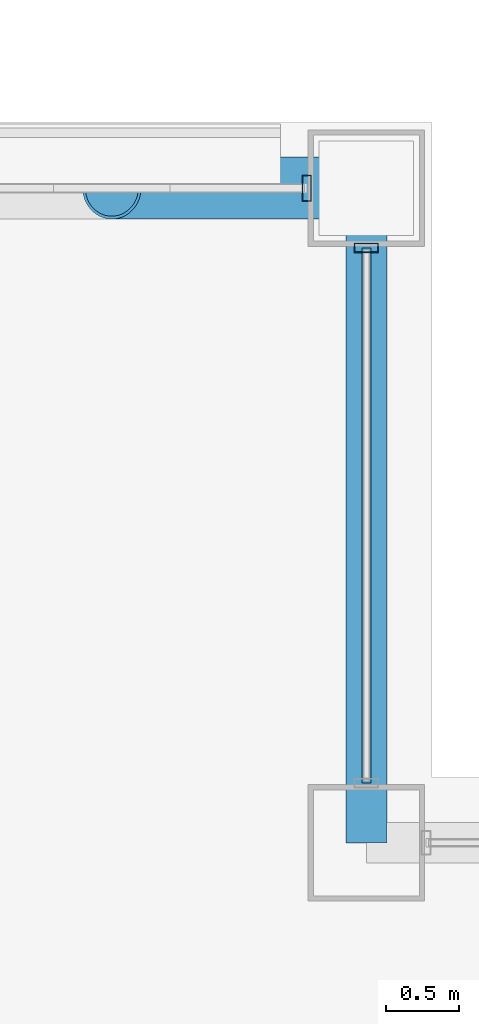
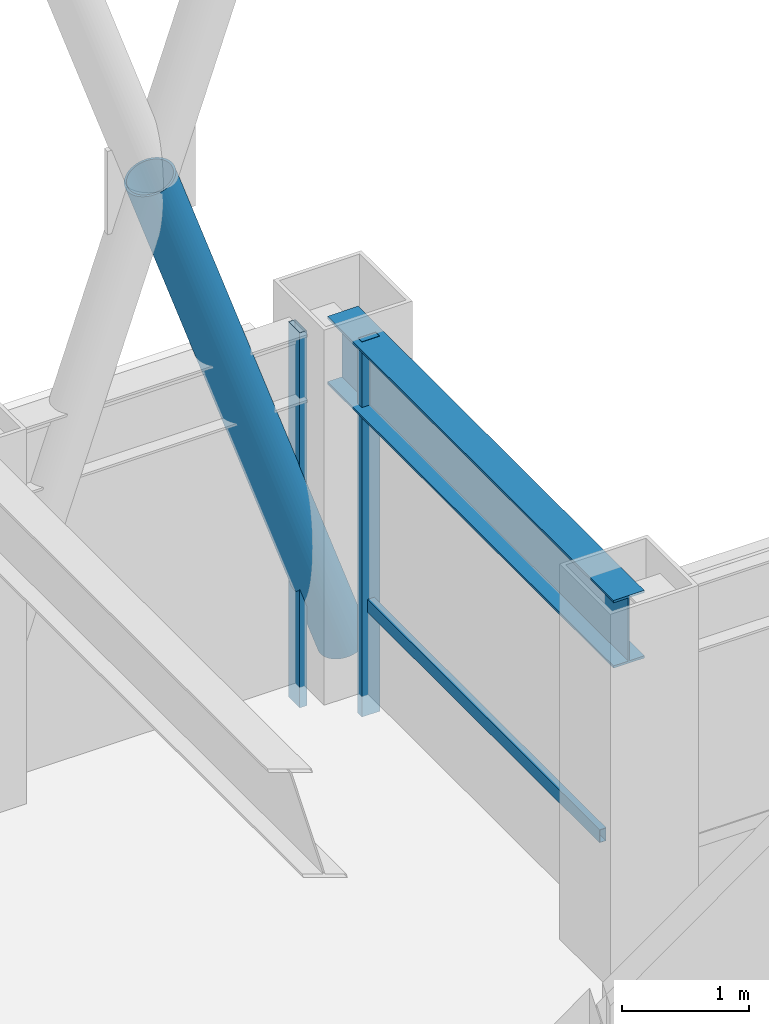
# One storey, part 26 of 35: 4 members, 1 beam, 2 elements without a shape of their own.
"""IFC4 building model written with IfcOpenShell, lengths in metres."""

from ifc_helpers import new_model, si_unit, direction, frame, origin, origin_2d, place, context, subcontext, project, spatial, hollow_rectangle, hollow_circle, i_section, extrude, material, layer, layer_set, material_profile, profile_set, type_object, element, aggregate, save


model = new_model("IFC4")

# Units and contexts
model_context = context("Model", 3, precision=1e-05, world=origin(), true_north=direction((0.0, 1.0)))
body_context = subcontext(model_context, "Body", "Model", "MODEL_VIEW")
ifc_project = project(units=[si_unit("LENGTHUNIT", "METRE"), si_unit("AREAUNIT", "SQUARE_METRE"), si_unit("VOLUMEUNIT", "CUBIC_METRE"), si_unit("PLANEANGLEUNIT", "RADIAN"), si_unit("MASSUNIT", "GRAM", prefix="KILO")], contexts=[model_context])

# Site, building, storey
site_placement = place(None, origin())
site = spatial("IfcSite", under=ifc_project, at=site_placement, CompositionType="ELEMENT")
building_placement = place(site_placement, origin())
building = spatial("IfcBuilding", under=site, at=building_placement, Name="Brelmoor Portico Tower", CompositionType="ELEMENT")
storey_placement = place(building_placement, frame((0.0, 0.0, 131.39990234375)))
storey = spatial("IfcBuildingStorey", under=building, at=storey_placement, Name="L34", CompositionType="ELEMENT", Elevation=131.39990234375)

# Beam
ifc_material_1 = material(Name="Steel Q355B", Category="steel")
ifc_material_profile_1 = material_profile(ifc_material_1, i_section(OverallWidth=0.280029296875, OverallDepth=0.64990234375, WebThickness=0.012939453125, FlangeThickness=0.02197265625, at=origin_2d()), Name="HN 650x280x13x22")
ifc_profile_set_1 = profile_set([ifc_material_profile_1], Name="Steel Q355B")
beam_type = type_object("IfcBeamType", Name="BM-SP-650", PredefinedType="SPANDREL", material=ifc_profile_set_1)
beam_placement = place(storey_placement, frame((18.050048828125, 15.050048828125, 3.0751953125), z_axis=(0.0, 1.0, 0.0), x_axis=(-1.0, 0.0, 0.0)))
element("IfcBeam", 1, at=beam_placement, inside=storey, type_object=beam_type, Name="L34 Perimeter Spandrel Beam SP-21", PredefinedType="SPANDREL", context=body_context, shape_type="SweptSolid", body=[
    extrude(i_section(OverallWidth=0.280029296875, OverallDepth=0.64990234375, WebThickness=0.012939453125, FlangeThickness=0.02197265625, at=origin_2d()), origin(), (0.0, 0.0, 1.0), 4.5),
])

# Member
ifc_material_profile_2 = material_profile(ifc_material_1, hollow_circle(Radius=0.212890625, WallThickness=0.02001953125, at=origin_2d()), Name="CHS 426x20")
ifc_profile_set_2 = profile_set([ifc_material_profile_2], Name="Steel Q355B")
member_type_1 = type_object("IfcMemberType", Name="MB-BELT-DIAG1", PredefinedType="BRACE", material=ifc_profile_set_2)
member_1_placement = place(storey_placement, frame((18.050048828125, 19.550048828125, 0.25), z_axis=(-0.327429033028, 0.0, 0.94487577402), x_axis=(0.0, -1.0, 0.0)))
element("IfcMember", 2, at=member_1_placement, inside=storey, type_object=member_type_1, Name="L34 Split Mega-X Brace 078B1", PredefinedType="BRACE", context=body_context, shape_type="SweptSolid", body=[
    extrude(hollow_circle(Radius=0.212890625, WallThickness=0.02001953125, at=origin_2d()), origin(), (0.0, 0.0, 1.0), 5.3447265625),
])

# Curtain wall, member
ifc_material_2 = material(Name="Anodised Aluminium Alloy 6063-T6", Category="aluminium")
ifc_layer_1 = layer(ifc_material_2, 0.179931640625)
ifc_layer_set_1 = layer_set([ifc_layer_1], Name="Anodised Aluminium Alloy 6063-T6")
curtain_wall_type_1 = type_object("IfcCurtainWallType", Name="CW-NOTCH-CHAMFER", PredefinedType="NOTDEFINED", material=ifc_layer_set_1)
curtain_wall_1_placement = place(storey_placement, origin())
curtain_wall_1 = element("IfcCurtainWall", 3, at=curtain_wall_1_placement, inside=storey, type_object=curtain_wall_type_1, Name="L34 Curtain Wall CWN-L34-NEV", PredefinedType="NOTDEFINED")
ifc_material_profile_3 = material_profile(ifc_material_2, hollow_rectangle(XDim=0.06494140625, YDim=0.1650390625, WallThickness=0.00390625, at=origin_2d()), Name="ALU MULLION 65x165")
ifc_profile_set_3 = profile_set([ifc_material_profile_3], Name="Anodised Aluminium Alloy 6063-T6")
member_type_2 = type_object("IfcMemberType", Name="MB-CW-MULL-165", PredefinedType="MULLION", material=ifc_profile_set_3)
member_2_placement = place(storey_placement, frame((18.050048828125, 19.139892578125, -0.199951171875), z_axis=(0.0, 0.0, 1.0), x_axis=(0.0, 1.0, 0.0)))
member_2 = element("IfcMember", 4, at=member_2_placement, type_object=member_type_2, Name="CWN-L34-NEV Mullion 01", PredefinedType="MULLION", context=body_context, shape_type="SweptSolid", body=[
    extrude(hollow_rectangle(XDim=0.06494140625, YDim=0.1650390625, WallThickness=0.00390625, at=origin_2d()), origin(), (0.0, 0.0, 1.0), 3.60009765625),
])

ifc_layer_2 = layer(ifc_material_2, 0.179931640625)
ifc_layer_set_2 = layer_set([ifc_layer_2], Name="Anodised Aluminium Alloy 6063-T6")
curtain_wall_type_2 = type_object("IfcCurtainWallType", Name="CW-TOWER-Z2-XB", PredefinedType="NOTDEFINED", material=ifc_layer_set_2)
curtain_wall_2_placement = place(storey_placement, origin())
curtain_wall_2 = element("IfcCurtainWall", 5, at=curtain_wall_2_placement, inside=storey, type_object=curtain_wall_type_2, Name="L34 Curtain Wall CW-L34-2R-3", PredefinedType="NOTDEFINED")
ifc_material_profile_4 = material_profile(ifc_material_2, hollow_rectangle(XDim=0.06494140625, YDim=0.179931640625, WallThickness=0.00390625, at=origin_2d()), Name="ALU MULLION 65x180")
ifc_profile_set_4 = profile_set([ifc_material_profile_4], Name="Anodised Aluminium Alloy 6063-T6")
member_type_3 = type_object("IfcMemberType", Name="MB-CW-MULL-180", PredefinedType="MULLION", material=ifc_profile_set_4)
member_3_placement = place(storey_placement, frame((17.639892578125, 19.550048828125, -0.199951171875), z_axis=(0.0, 0.0, 1.0), x_axis=(1.0, 0.0, 0.0)))
member_3 = element("IfcMember", 6, at=member_3_placement, type_object=member_type_3, Name="CW-L34-2R-3 Mullion 01", PredefinedType="MULLION", context=body_context, shape_type="SweptSolid", body=[
    extrude(hollow_rectangle(XDim=0.06494140625, YDim=0.179931640625, WallThickness=0.00390625, at=origin_2d()), origin(), (0.0, 0.0, 1.0), 3.60009765625),
])
aggregate(curtain_wall_2, [member_3])

# Member
ifc_material_profile_5 = material_profile(ifc_material_2, hollow_rectangle(XDim=0.06005859375, YDim=0.125, WallThickness=0.00341796875, at=origin_2d()), Name="ALU TRANSOM 60x125")
ifc_profile_set_5 = profile_set([ifc_material_profile_5], Name="Anodised Aluminium Alloy 6063-T6")
member_type_4 = type_object("IfcMemberType", Name="MB-CW-TRAN-125", PredefinedType="USERDEFINED", material=ifc_profile_set_5)
member_4_placement = place(storey_placement, frame((18.050048828125, 15.4599609375, 0.85009765625), z_axis=(0.0, 1.0, 0.0), x_axis=(-1.0, 0.0, 0.0)))
member_4 = element("IfcMember", 7, at=member_4_placement, type_object=member_type_4, Name="CWN-L34-NEV Transom 1-00", ObjectType="TRANSOM", PredefinedType="USERDEFINED", context=body_context, shape_type="SweptSolid", body=[
    extrude(hollow_rectangle(XDim=0.06005859375, YDim=0.125, WallThickness=0.00341796875, at=origin_2d()), origin(), (0.0, 0.0, 1.0), 3.679931640625),
])

aggregate(curtain_wall_1, [member_2, member_4])

save(model, "model.ifc")
